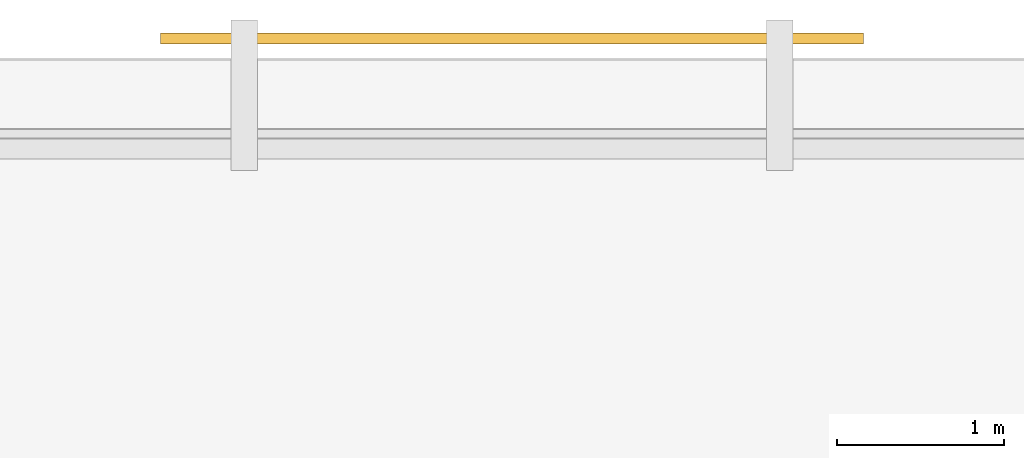
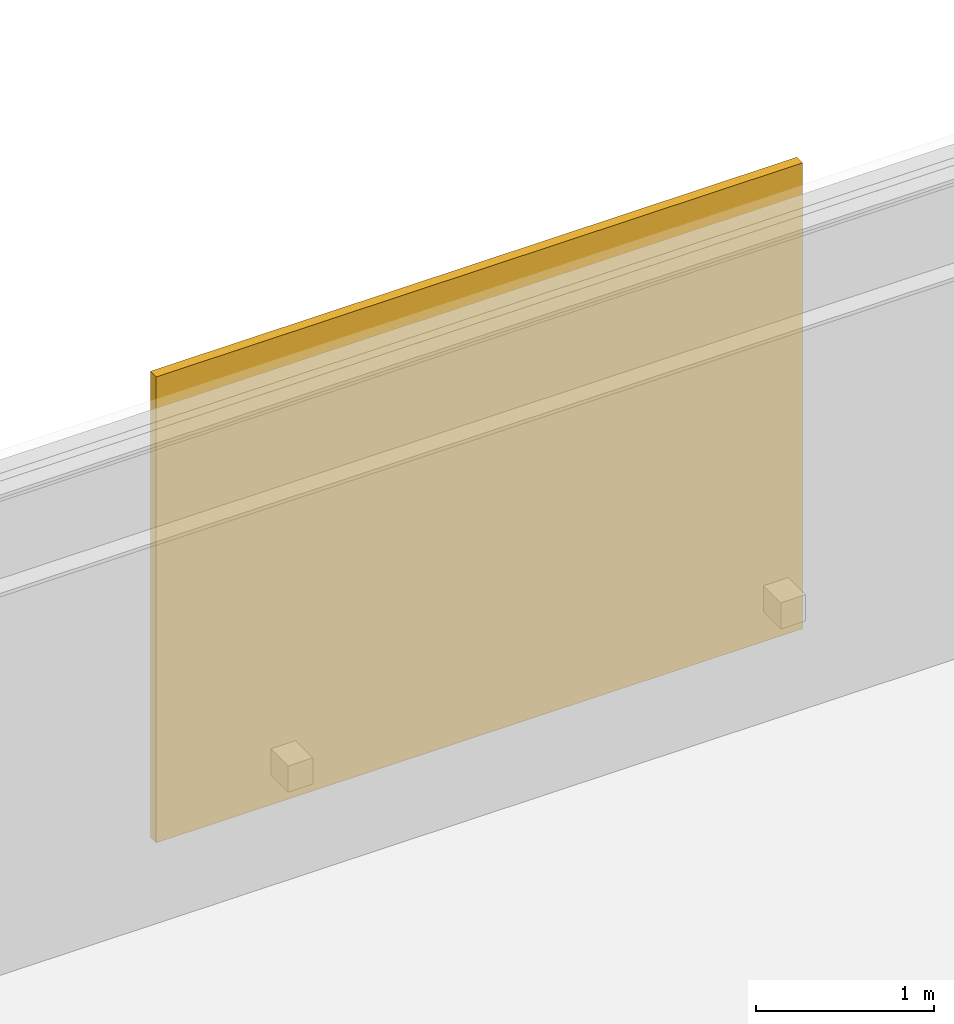
# One storey, part 29 of 30: 1 shading device.
"""IFC4 building model written with IfcOpenShell, lengths in metres."""

from ifc_helpers import new_model, si_unit, direction, frame, origin, origin_2d, place, context, subcontext, project, spatial, rectangle, extrude, material, layer, layer_set, type_object, element, save


model = new_model("IFC4")

# Units and contexts
model_context = context("Model", 3, precision=1e-05, world=origin(), true_north=direction((0.0, 1.0)))
body_context = subcontext(model_context, "Body", "Model", "MODEL_VIEW")
ifc_project = project(units=[si_unit("LENGTHUNIT", "METRE"), si_unit("AREAUNIT", "SQUARE_METRE"), si_unit("VOLUMEUNIT", "CUBIC_METRE"), si_unit("PLANEANGLEUNIT", "RADIAN"), si_unit("MASSUNIT", "GRAM", prefix="KILO")], contexts=[model_context])

# Site, building, storey
site_placement = place(None, origin())
site = spatial("IfcSite", under=ifc_project, at=site_placement, CompositionType="ELEMENT")
building_placement = place(site_placement, origin())
building = spatial("IfcBuilding", under=site, at=building_placement, Name="Brelmoor Portico Tower", CompositionType="ELEMENT")
storey_placement = place(building_placement, frame((0.0, 0.0, 74.39990234375)))
storey = spatial("IfcBuildingStorey", under=building, at=storey_placement, Name="L19", CompositionType="ELEMENT", Elevation=74.39990234375)

# Shading device
ifc_material = material(Name="Perforated Pale Champagne Aluminium Solar Screen", Category="aluminium")
ifc_layer = layer(ifc_material, 0.06494140625)
ifc_layer_set = layer_set([ifc_layer], Name="Perforated Pale Champagne Aluminium Solar Screen")
shading_device_type = type_object("IfcShadingDeviceType", Name="SD-SOLAR-SCREEN", PredefinedType="USERDEFINED", material=ifc_layer_set)
shading_device_placement = place(storey_placement, frame((0.0, 22.1201171875, 0.10009765625), z_axis=(0.0, 0.0, 1.0), x_axis=(1.0, 0.0, 0.0)))
element("IfcShadingDevice", 1, at=shading_device_placement, inside=storey, type_object=shading_device_type, Name="L19 Perforated Solar Screen N1", ObjectType="SCREEN", PredefinedType="USERDEFINED", context=body_context, shape_type="SweptSolid", body=[
    extrude(rectangle(XDim=4.199951171875, YDim=0.06494140625, at=origin_2d()), origin(), (0.0, 0.0, 1.0), 3.199951171875),
])

save(model, "model.ifc")
